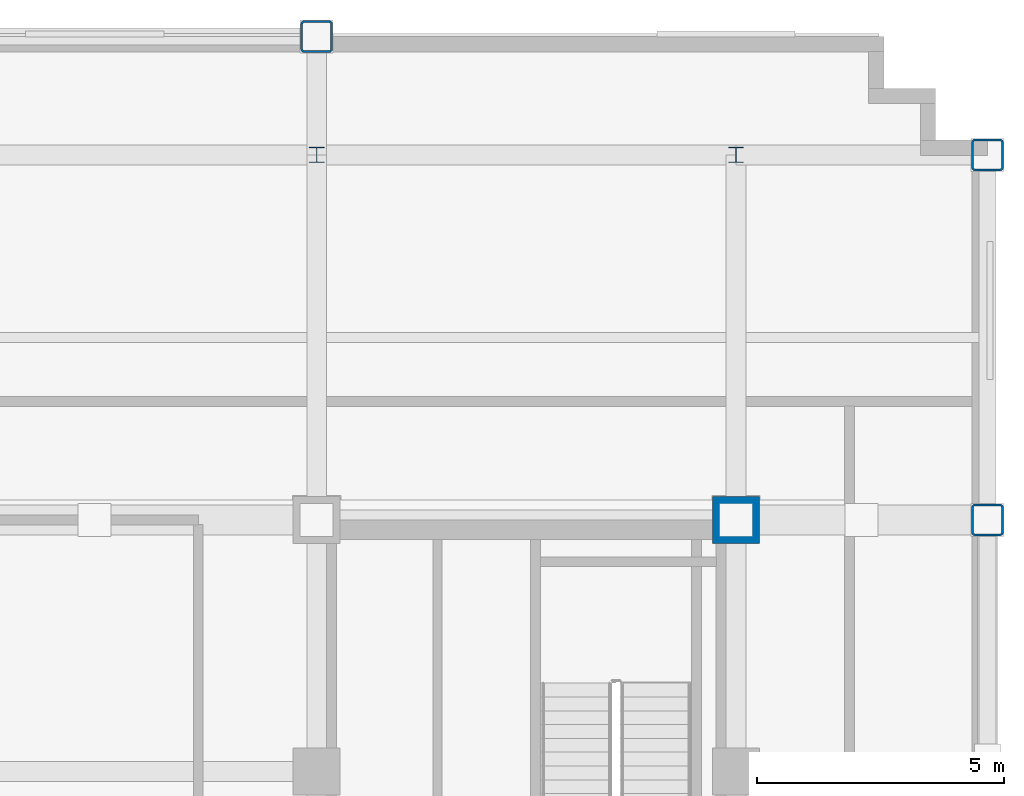
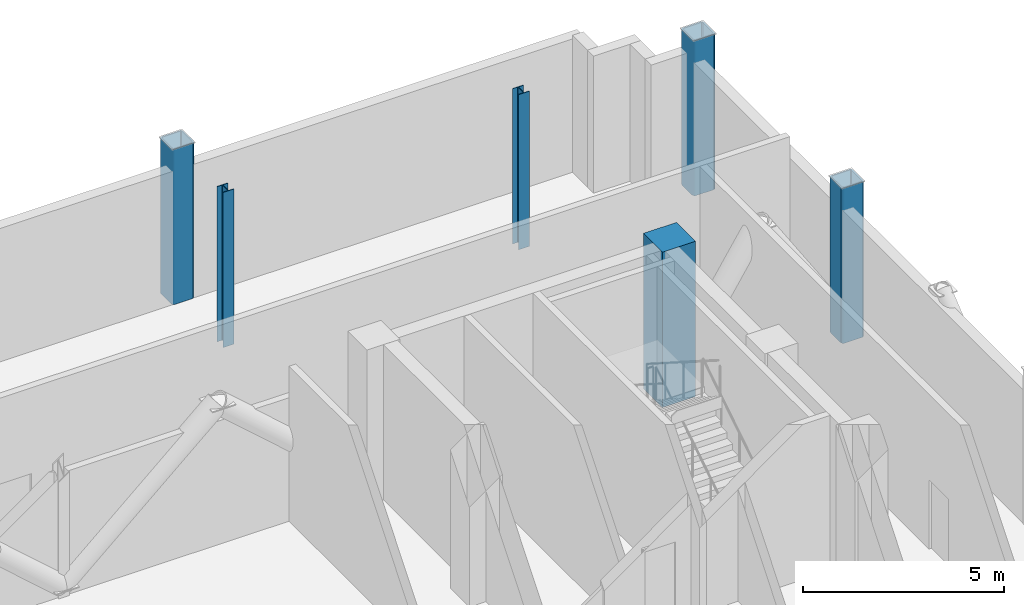
# One storey, part 4 of 13: 6 columns.
"""IFC4 building model written with IfcOpenShell, lengths in metres."""

from ifc_helpers import new_model, si_unit, direction, frame, origin, origin_2d, place, context, subcontext, project, spatial, rectangle, hollow_rectangle, i_section, extrude, material, material_profile, profile_set, type_object, element, save


model = new_model("IFC4")

# Units and contexts
model_context = context("Model", 3, precision=1e-05, world=origin(), true_north=direction((0.0, 1.0)))
body_context = subcontext(model_context, "Body", "Model", "MODEL_VIEW")
ifc_project = project(units=[si_unit("LENGTHUNIT", "METRE"), si_unit("AREAUNIT", "SQUARE_METRE"), si_unit("VOLUMEUNIT", "CUBIC_METRE"), si_unit("PLANEANGLEUNIT", "RADIAN"), si_unit("MASSUNIT", "GRAM", prefix="KILO")], contexts=[model_context])

# Site, building, storey
site_placement = place(None, origin())
site = spatial("IfcSite", under=ifc_project, at=site_placement, CompositionType="ELEMENT")
building_placement = place(site_placement, origin())
building = spatial("IfcBuilding", under=site, at=building_placement, Name="Nuvemarco Arch Tower", CompositionType="ELEMENT")
storey_placement = place(building_placement, frame((0.0, 0.0, 185.89990234375)))
storey = spatial("IfcBuildingStorey", under=building, at=storey_placement, Name="L49", CompositionType="ELEMENT", Elevation=185.89990234375)

# Columns
ifc_material_1 = material(Name="Concrete C50/60", Category="concrete")
ifc_material_profile_1 = material_profile(ifc_material_1, rectangle(XDim=0.949951171875, YDim=0.949951171875, at=origin_2d()), Name="RC-COL-950x950")
ifc_profile_set_1 = profile_set([ifc_material_profile_1], Name="Concrete C50/60")
column_type_1 = type_object("IfcColumnType", Name="COL-CORE-950", PredefinedType="COLUMN", material=ifc_profile_set_1)
column_placement = place(storey_placement, frame((17.5, 9.60009765625, 0.0), z_axis=(0.0, 0.0, 1.0), x_axis=(1.0, 0.0, 0.0)))
element("IfcColumn", 1, at=column_placement, inside=storey, type_object=column_type_1, Name="L49 column CC_+17.5_+9.6", PredefinedType="COLUMN", context=body_context, shape_type="SweptSolid", body=[
    extrude(rectangle(XDim=0.949951171875, YDim=0.949951171875, at=origin_2d()), origin(), (0.0, 0.0, 1.0), 4.72021484375),
])
ifc_material_2 = material(Name="Steel S355", Category="steel")
ifc_material_profile_2 = material_profile(ifc_material_2, hollow_rectangle(XDim=0.64990234375, YDim=0.64990234375, WallThickness=0.0400390625, InnerFilletRadius=0.0400390625, OuterFilletRadius=0.080078125, at=origin_2d()), Name="SHS650x650x40")
ifc_profile_set_2 = profile_set([ifc_material_profile_2], Name="Steel S355")
column_type_2 = type_object("IfcColumnType", Name="COL-EXO-650", PredefinedType="COLUMN", material=ifc_profile_set_2)
for number, where, z_axis, x_axis, name in (
    (2, (22.60009765625, 9.60009765625, 0.0), (0.0, 0.0, 1.0), (1.0, 0.0, 0.0), "L49 column CX_+22.6_+9.6"),
    (3, (22.60009765625, 17.0, 0.0), (0.0, 0.0, 1.0), (1.0, 0.0, 0.0), "L49 column CX_+22.6_+17.0"),
    (4, (9.0, 19.39990234375, 0.0), (0.0, 0.0, 1.0), (1.0, 0.0, 0.0), "L49 column CY_+9.0_+19.4"),
):
    element("IfcColumn", number, at=place(storey_placement, frame(where, z_axis=z_axis, x_axis=x_axis)), inside=storey, type_object=column_type_2, Name=name, PredefinedType="COLUMN", context=body_context, shape_type="SweptSolid", body=[
        extrude(hollow_rectangle(XDim=0.64990234375, YDim=0.64990234375, WallThickness=0.0400390625, InnerFilletRadius=0.0400390625, OuterFilletRadius=0.080078125, at=origin_2d()), origin(), (0.0, 0.0, 1.0), 4.72021484375),
    ])
ifc_material_profile_3 = material_profile(ifc_material_2, i_section(OverallWidth=0.31005859375, OverallDepth=0.31005859375, WebThickness=0.015380859375, FlangeThickness=0.015380859375, FilletRadius=0.014892578125, at=origin_2d()), Name="HP310x110")
ifc_profile_set_3 = profile_set([ifc_material_profile_3], Name="Steel S355")
column_type_3 = type_object("IfcColumnType", Name="COL-STL-HP310", PredefinedType="COLUMN", material=ifc_profile_set_3)
for number, where, z_axis, x_axis, name in (
    (5, (9.0, 17.0, 0.0), (0.0, 0.0, 1.0), (1.0, 0.0, 0.0), "L49 column CI_+9.0_+17.0"),
    (6, (17.5, 17.0, 0.0), (0.0, 0.0, 1.0), (1.0, 0.0, 0.0), "L49 column CI_+17.5_+17.0"),
):
    element("IfcColumn", number, at=place(storey_placement, frame(where, z_axis=z_axis, x_axis=x_axis)), inside=storey, type_object=column_type_3, Name=name, PredefinedType="COLUMN", context=body_context, shape_type="SweptSolid", body=[
        extrude(i_section(OverallWidth=0.31005859375, OverallDepth=0.31005859375, WebThickness=0.015380859375, FlangeThickness=0.015380859375, FilletRadius=0.014892578125, at=origin_2d()), origin(), (0.0, 0.0, 1.0), 4.72021484375),
    ])

save(model, "model.ifc")
